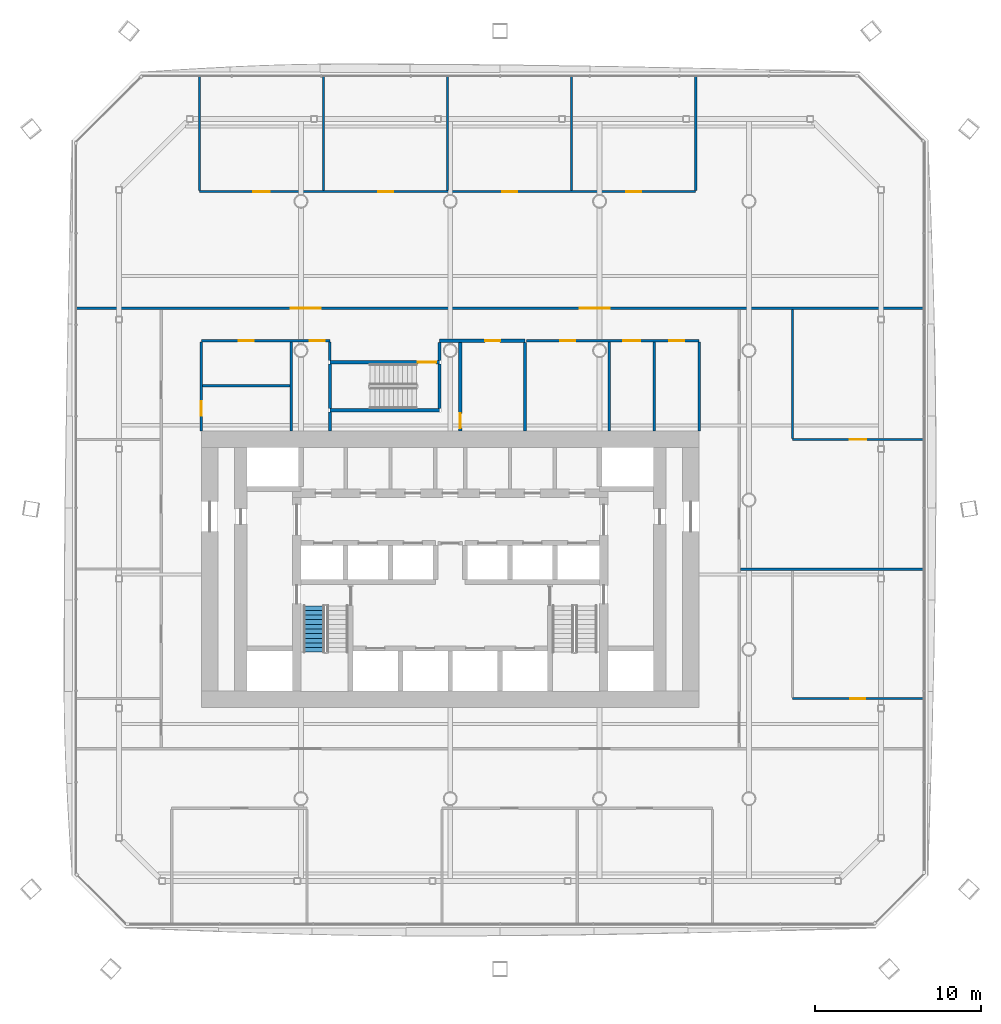
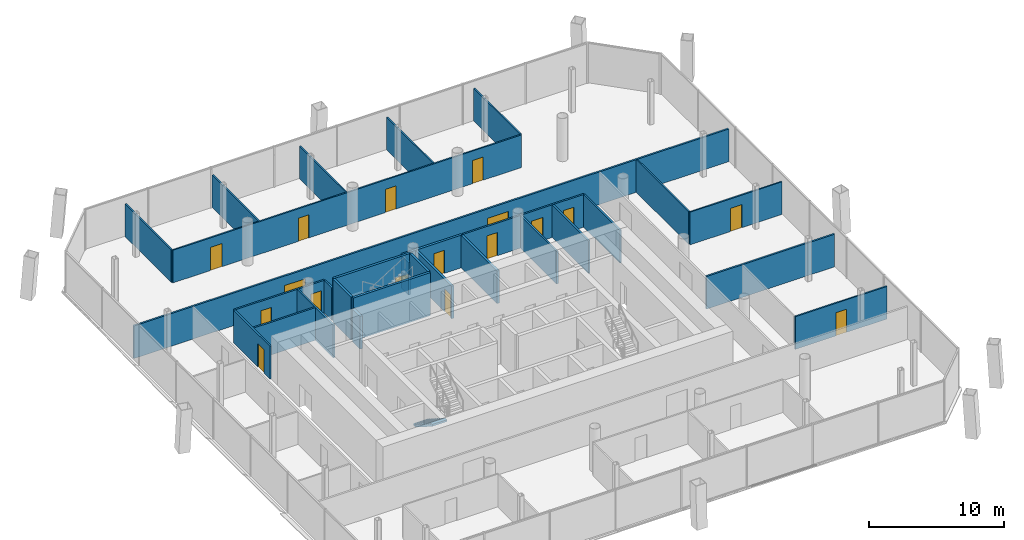
# One storey, part 14 of 20: 29 walls, 17 doors, 1 stair flight, 17 openings, 1 element without a shape of its own.
"""IFC4 building model written with IfcOpenShell, lengths in metres."""

import ifcopenshell
import ifcopenshell.guid

model = None  # the IFC model being written
_history = None  # IfcOwnerHistory: only IFC2X3 demands one
_inside = {}  # id of a spatial element -> (the spatial element, [elements in it])
_under = {}  # id of a project, library or spatial element -> (it, [spatial elements below it])
_declared = {}  # id of a project -> (the project, [libraries it declares])
_typed = {}  # id of a type object -> (the type object, [elements of that type])
_made_of = {}  # id of a material, layer set ... -> (it, [elements and type objects made of it])


def new_model(schema):
    """Start an empty IFC model of exactly this schema.

    Asked for "IFC4X3", IfcOpenShell would pick the latest addendum, in which some entities
    have other attributes; the version numbers below select the first issue.
    IFC2X3 requires an IfcOwnerHistory on every rooted entity: one is made here for all.
    """
    global model, _history
    if schema == "IFC4X3":
        model = ifcopenshell.file(schema_version=(4, 3, 0, 0))
    else:
        model = ifcopenshell.file(schema=schema)
    _inside.clear()
    _under.clear()
    _declared.clear()
    _typed.clear()
    _made_of.clear()
    _history = None
    if model.schema == "IFC2X3":
        org = make("IfcOrganization", Name="unknown")
        user = make(
            "IfcPersonAndOrganization",
            ThePerson=make("IfcPerson", FamilyName="unknown"),
            TheOrganization=org,
        )
        app = make(
            "IfcApplication",
            ApplicationDeveloper=org,
            Version="unknown",
            ApplicationFullName="unknown",
            ApplicationIdentifier="unknown",
        )
        _history = make(
            "IfcOwnerHistory",
            OwningUser=user,
            OwningApplication=app,
            ChangeAction="ADDED",
            CreationDate=0,
        )
    return model


def make(cls, **values):
    """One entity of the class cls with the attributes given. An attribute that is None is left unset."""
    return model.create_entity(
        cls, **{name: value for name, value in values.items() if value is not None}
    )


def rooted(cls, **values):
    """An entity with a GlobalId (a new one), such as an element, a storey or a relation."""
    return make(cls, GlobalId=ifcopenshell.guid.new(), OwnerHistory=_history, **values)


def si_unit(unit_type, name, prefix=None):
    """IfcSIUnit, for example si_unit("LENGTHUNIT", "METRE", prefix="MILLI")."""
    return make("IfcSIUnit", UnitType=unit_type, Prefix=prefix, Name=name)


def assignment(units):
    """IfcUnitAssignment: the units of a project."""
    return None if units is None else make("IfcUnitAssignment", Units=units)


def point(xyz):
    """IfcCartesianPoint."""
    return None if xyz is None else make("IfcCartesianPoint", Coordinates=xyz)


def direction(xyz):
    """IfcDirection."""
    return None if xyz is None else make("IfcDirection", DirectionRatios=xyz)


def frame(location, z_axis=None, x_axis=None):
    """IfcAxis2Placement3D, a coordinate frame: its origin and axes. An axis left out is left unset."""
    return make(
        "IfcAxis2Placement3D",
        Location=point(location),
        Axis=direction(z_axis),
        RefDirection=direction(x_axis),
    )


def frame_2d(location, x_axis=None):
    """IfcAxis2Placement2D, a coordinate frame in the plane: its origin and x axis."""
    return make(
        "IfcAxis2Placement2D", Location=point(location), RefDirection=direction(x_axis)
    )


def origin():
    """The frame at (0, 0, 0) with its axes left unset."""
    return frame((0.0, 0.0, 0.0))


def place(relative_to, where):
    """IfcLocalPlacement: puts the frame where relative to a parent placement (None: the world)."""
    return make(
        "IfcLocalPlacement", PlacementRelTo=relative_to, RelativePlacement=where
    )


def context(
    kind, dimensions, precision=None, world=None, true_north=None, identifier=None
):
    """IfcGeometricRepresentationContext, for example the 3D "Model" context."""
    return make(
        "IfcGeometricRepresentationContext",
        ContextIdentifier=identifier,
        ContextType=kind,
        CoordinateSpaceDimension=dimensions,
        Precision=precision,
        WorldCoordinateSystem=world,
        TrueNorth=true_north,
    )


def subcontext(parent, identifier, kind, view, scale=None):
    """IfcGeometricRepresentationSubContext, for example "Body" below "Model"."""
    return make(
        "IfcGeometricRepresentationSubContext",
        ContextIdentifier=identifier,
        ContextType=kind,
        ParentContext=parent,
        TargetScale=scale,
        TargetView=view,
    )


def project(units=None, contexts=None):
    """IfcProject with its units and contexts."""
    return rooted(
        "IfcProject",
        Name="project",
        RepresentationContexts=contexts,
        UnitsInContext=assignment(units),
    )


def spatial(cls, under=None, at=None, **own):
    """A site, building, storey or space (cls), placed at a placement, below another one or the project."""
    s = rooted(cls, ObjectPlacement=at, **own)
    if under is not None:
        _under.setdefault(under.id(), (under, []))[1].append(s)
    return s


def polyline(points):
    """IfcPolyline through the points."""
    return make("IfcPolyline", Points=[point(p) for p in points])


def profile(cls, at=None, kind="AREA", **sizes):
    """A parametric profile (cls). Its sizes go by their IFC names, for example OverallWidth=200.0."""
    return make(cls, ProfileType=kind, Position=at, **sizes)


def rectangle(**sizes):
    """IfcRectangleProfileDef."""
    return profile("IfcRectangleProfileDef", **sizes)


def outline(outer, holes=None, kind="AREA"):
    """IfcArbitraryClosedProfileDef: a profile drawn as a closed curve; with holes, ...WithVoids."""
    if holes is None:
        return make("IfcArbitraryClosedProfileDef", ProfileType=kind, OuterCurve=outer)
    return make(
        "IfcArbitraryProfileDefWithVoids",
        ProfileType=kind,
        OuterCurve=outer,
        InnerCurves=holes,
    )


def extrude(swept, where, along, depth):
    """IfcExtrudedAreaSolid: the profile swept, set in the frame where, extruded along a direction by depth."""
    return make(
        "IfcExtrudedAreaSolid",
        SweptArea=swept,
        Position=where,
        ExtrudedDirection=direction(along),
        Depth=depth,
    )


def shape(context_of_items, identifier, shape_type, items):
    """IfcShapeRepresentation: the items that make up one representation, for example the "Body"."""
    return make(
        "IfcShapeRepresentation",
        ContextOfItems=context_of_items,
        RepresentationIdentifier=identifier,
        RepresentationType=shape_type,
        Items=items,
    )


def material(Name=None, Category=None):
    """IfcMaterial."""
    return make("IfcMaterial", Name=Name, Category=Category)


def layer(
    of_material, thickness, ventilated=None, Name=None, Category=None, Priority=None
):
    """IfcMaterialLayer: one layer of a wall or slab, of a material (None: an air gap)."""
    return make(
        "IfcMaterialLayer",
        Material=of_material,
        LayerThickness=thickness,
        IsVentilated=ventilated,
        Name=Name,
        Category=Category,
        Priority=Priority,
    )


def layer_set(layers, Name=None):
    """IfcMaterialLayerSet."""
    return make("IfcMaterialLayerSet", MaterialLayers=layers, LayerSetName=Name)


def made_of(thing, what):
    """Note that an element or type object is made of a material, layer set ...; save() writes the relation."""
    if what is not None:
        _made_of.setdefault(what.id(), (what, []))[1].append(thing)
    return thing


def type_object(cls, material=None, **own):
    """A type object (cls), such as IfcWallType, which elements share."""
    return made_of(rooted(cls, **own), material)


def element(
    cls,
    number,
    at=None,
    inside=None,
    cuts=None,
    type_object=None,
    material=None,
    context=None,
    identifier="Body",
    shape_type=None,
    held_by="IfcProductDefinitionShape",
    body=None,
    shapes=None,
    **own,
):
    """One element of the class cls, such as IfcWall. Its Tag is "e" and its number.

    at: its placement. inside: the storey or other place that contains it. cuts: it is an
    opening in that element (IfcRelVoidsElement). A single representation is given by context,
    identifier, shape_type and body (its items); several are given by shapes. held_by: the class
    of the entity that holds the representations. save() writes the other relations.
    """
    e = rooted(cls, Tag="e%d" % number, ObjectPlacement=at, **own)
    if body is not None:
        shapes = [shape(context, identifier, shape_type, body)]
    if shapes is not None:
        e.Representation = make(held_by, Representations=shapes)
    if inside is not None:
        _inside.setdefault(inside.id(), (inside, []))[1].append(e)
    if cuts is not None:
        rooted(
            "IfcRelVoidsElement", RelatingBuildingElement=cuts, RelatedOpeningElement=e
        )
    if type_object is not None:
        _typed.setdefault(type_object.id(), (type_object, []))[1].append(e)
    return made_of(e, material)


def fill(opening, filler):
    """IfcRelFillsElement: the door or window that sits in an opening."""
    return rooted(
        "IfcRelFillsElement",
        RelatingOpeningElement=opening,
        RelatedBuildingElement=filler,
    )


def aggregate(whole, parts):
    """IfcRelAggregates: a whole, such as a stair, and the parts it consists of."""
    return rooted("IfcRelAggregates", RelatingObject=whole, RelatedObjects=parts)


def save(model, path):
    """Write the relations noted so far, then the file.

    IfcRelAggregates (storeys below a building ...), IfcRelContainedInSpatialStructure (elements
    in a storey), IfcRelDefinesByType, IfcRelAssociatesMaterial and IfcRelDeclares: one each for
    every whole, place, type object, material and project.
    """
    for whole, parts in _under.values():
        aggregate(whole, parts)
    for where, things in _inside.values():
        rooted(
            "IfcRelContainedInSpatialStructure",
            RelatedElements=things,
            RelatingStructure=where,
        )
    for kind, things in _typed.values():
        rooted("IfcRelDefinesByType", RelatedObjects=things, RelatingType=kind)
    for what, things in _made_of.values():
        rooted("IfcRelAssociatesMaterial", RelatedObjects=things, RelatingMaterial=what)
    for by, libraries in _declared.values():
        rooted("IfcRelDeclares", RelatingContext=by, RelatedDefinitions=libraries)
    model.write(path)


model = new_model("IFC4")

# Units and contexts
model_context = context("Model", 3, precision=1e-05, world=origin(), true_north=direction((0.0, 1.0)))
body_context = subcontext(model_context, "Body", "Model", "MODEL_VIEW")
ifc_project = project(units=[si_unit("LENGTHUNIT", "METRE"), si_unit("AREAUNIT", "SQUARE_METRE"), si_unit("VOLUMEUNIT", "CUBIC_METRE"), si_unit("PLANEANGLEUNIT", "RADIAN"), si_unit("MASSUNIT", "GRAM", prefix="KILO")], contexts=[model_context])

# Site, building, storey
site_placement = place(None, origin())
site = spatial("IfcSite", under=ifc_project, at=site_placement, CompositionType="ELEMENT")
building_placement = place(site_placement, origin())
building = spatial("IfcBuilding", under=site, at=building_placement, Name="Tskaro Facet Tower", CompositionType="ELEMENT")
storey_placement = place(building_placement, frame((0.0, 0.0, 69.89990234375)))
storey = spatial("IfcBuildingStorey", under=building, at=storey_placement, Name="L16", CompositionType="ELEMENT", Elevation=69.89990234375)

# Wall, opening, door
ifc_material_1 = material(Name="Gypsum board on steel studs", Category="steel")
ifc_layer_1 = layer(ifc_material_1, 0.125, Name="Gypsum board on steel studs")
ifc_layer_set_1 = layer_set([ifc_layer_1], Name="Gypsum board on steel studs")
wall_type_1 = type_object("IfcWallType", Name="PART", PredefinedType="PARTITIONING", material=ifc_layer_set_1)
wall_1_placement = place(storey_placement, frame((20.625, -11.972900390625, 0.0), z_axis=(0.0, 0.0, 1.0), x_axis=(1.0, 0.0, 0.0)))
wall_1 = element("IfcWall", 1, at=wall_1_placement, inside=storey, type_object=wall_type_1, Name="Partition W005", PredefinedType="PARTITIONING", context=body_context, shape_type="SweptSolid", body=[
    extrude(rectangle(XDim=7.884033203125, YDim=0.125, at=frame_2d((3.94189453125, 0.0))), origin(), (0.0, 0.0, 1.0), 2.960205078125),
])
opening_1_placement = place(wall_1_placement, frame((3.491943359375, 0.0, 0.0)))
opening_1 = element("IfcOpeningElement", 2, at=opening_1_placement, cuts=wall_1, Name="Opening T4-D08", PredefinedType="OPENING", context=body_context, shape_type="SweptSolid", body=[
    extrude(rectangle(XDim=0.89990234375, YDim=2.10009765625, at=frame_2d((0.449951171875, 1.050048828125))), frame((0.0, 0.072509765625, 0.0), z_axis=(0.0, -1.0, 0.0), x_axis=(1.0, 0.0, 0.0)), (0.0, 0.0, 1.0), 0.14501953125),
])
ifc_material_2 = material(Name="Timber", Category="wood")
door_type_1 = type_object("IfcDoorType", Name="D-ROOM", OperationType="NOTDEFINED", PredefinedType="DOOR", material=ifc_material_2)
door_1_placement = place(opening_1_placement, origin())
door_1 = element("IfcDoor", 3, at=door_1_placement, inside=storey, type_object=door_type_1, Name="Door T4-D08", OperationType="SINGLE_SWING_LEFT", OverallHeight=2.10009765625, OverallWidth=0.89990234375, PredefinedType="DOOR", context=body_context, shape_type="SweptSolid", body=[
    extrude(rectangle(XDim=0.89990234375, YDim=2.10009765625, at=frame_2d((0.449951171875, 1.050048828125))), frame((0.0, 0.02490234375, 0.0), z_axis=(0.0, -1.0, 0.0), x_axis=(1.0, 0.0, 0.0)), (0.0, 0.0, 1.0), 0.050048828125),
])
fill(opening_1, door_1)

wall_2_placement = place(storey_placement, frame((20.625, 3.64794921875, 0.0), z_axis=(0.0, 0.0, 1.0), x_axis=(1.0, 0.0, 0.0)))
wall_2 = element("IfcWall", 4, at=wall_2_placement, inside=storey, type_object=wall_type_1, Name="Partition W019", PredefinedType="PARTITIONING", context=body_context, shape_type="SweptSolid", body=[
    extrude(rectangle(XDim=7.884033203125, YDim=0.125, at=frame_2d((3.94189453125, 0.0))), origin(), (0.0, 0.0, 1.0), 2.960205078125),
])
opening_2_placement = place(wall_2_placement, frame((3.44189453125, 0.0, 0.0)))
opening_2 = element("IfcOpeningElement", 5, at=opening_2_placement, cuts=wall_2, Name="Opening T4-D29", PredefinedType="OPENING", context=body_context, shape_type="SweptSolid", body=[
    extrude(rectangle(XDim=1.0, YDim=2.10009765625, at=frame_2d((0.5, 1.050048828125))), frame((0.0, 0.072509765625, 0.0), z_axis=(0.0, -1.0, 0.0), x_axis=(1.0, 0.0, 0.0)), (0.0, 0.0, 1.0), 0.14501953125),
])
door_type_2 = type_object("IfcDoorType", Name="D-ROOM-WIDE", OperationType="NOTDEFINED", PredefinedType="DOOR", material=ifc_material_2)
door_2_placement = place(opening_2_placement, origin())
door_2 = element("IfcDoor", 6, at=door_2_placement, inside=storey, type_object=door_type_2, Name="Door T4-D29", OperationType="SINGLE_SWING_LEFT", OverallHeight=2.10009765625, OverallWidth=1.0, PredefinedType="DOOR", context=body_context, shape_type="SweptSolid", body=[
    extrude(rectangle(XDim=1.0, YDim=2.10009765625, at=frame_2d((0.5, 1.050048828125))), frame((0.0, 0.02490234375, 0.0), z_axis=(0.0, -1.0, 0.0), x_axis=(1.0, 0.0, 0.0)), (0.0, 0.0, 1.0), 0.050048828125),
])
fill(opening_2, door_2)

# Wall, openings, doors
wall_3_placement = place(storey_placement, frame((-15.110107421875, 18.580078125, 0.0), z_axis=(0.0, 0.0, 1.0), x_axis=(1.0, 0.0, 0.0)))
wall_3 = element("IfcWall", 7, at=wall_3_placement, inside=storey, type_object=wall_type_1, Name="Partition W027", PredefinedType="PARTITIONING", context=body_context, shape_type="SweptSolid", body=[
    extrude(rectangle(XDim=29.904052734375, YDim=0.125, at=frame_2d((14.9521484375, 0.0))), origin(), (0.0, 0.0, 1.0), 2.960205078125),
])
opening_3_placement = place(wall_3_placement, frame((10.763916015625, 0.0, 0.0)))
opening_3 = element("IfcOpeningElement", 8, at=opening_3_placement, cuts=wall_3, Name="Opening T4-D43", PredefinedType="OPENING", context=body_context, shape_type="SweptSolid", body=[
    extrude(rectangle(XDim=0.89990234375, YDim=2.10009765625, at=frame_2d((0.449951171875, 1.050048828125))), frame((0.0, 0.072509765625, 0.0), z_axis=(0.0, -1.0, 0.0), x_axis=(1.0, 0.0, 0.0)), (0.0, 0.0, 1.0), 0.14501953125),
])
opening_4_placement = place(wall_3_placement, frame((3.238037109375, 0.0, 0.0)))
opening_4 = element("IfcOpeningElement", 9, at=opening_4_placement, cuts=wall_3, Name="Opening T4-D42", PredefinedType="OPENING", context=body_context, shape_type="SweptSolid", body=[
    extrude(rectangle(XDim=1.0, YDim=2.10009765625, at=frame_2d((0.5, 1.050048828125))), frame((0.0, 0.072509765625, 0.0), z_axis=(0.0, -1.0, 0.0), x_axis=(1.0, 0.0, 0.0)), (0.0, 0.0, 1.0), 0.14501953125),
])
opening_5_placement = place(wall_3_placement, frame((25.716064453125, 0.0, 0.0)))
opening_5 = element("IfcOpeningElement", 10, at=opening_5_placement, cuts=wall_3, Name="Opening T4-D45", PredefinedType="OPENING", context=body_context, shape_type="SweptSolid", body=[
    extrude(rectangle(XDim=0.89990234375, YDim=2.10009765625, at=frame_2d((0.449951171875, 1.050048828125))), frame((0.0, 0.072509765625, 0.0), z_axis=(0.0, -1.0, 0.0), x_axis=(1.0, 0.0, 0.0)), (0.0, 0.0, 1.0), 0.14501953125),
])
opening_6_placement = place(wall_3_placement, frame((18.239990234375, 0.0, 0.0)))
opening_6 = element("IfcOpeningElement", 11, at=opening_6_placement, cuts=wall_3, Name="Opening T4-D44", PredefinedType="OPENING", context=body_context, shape_type="SweptSolid", body=[
    extrude(rectangle(XDim=0.89990234375, YDim=2.10009765625, at=frame_2d((0.449951171875, 1.050048828125))), frame((0.0, 0.072509765625, 0.0), z_axis=(0.0, -1.0, 0.0), x_axis=(1.0, 0.0, 0.0)), (0.0, 0.0, 1.0), 0.14501953125),
])
door_3_placement = place(opening_3_placement, origin())
door_3 = element("IfcDoor", 12, at=door_3_placement, inside=storey, type_object=door_type_1, Name="Door T4-D43", OperationType="SINGLE_SWING_LEFT", OverallHeight=2.10009765625, OverallWidth=0.89990234375, PredefinedType="DOOR", context=body_context, shape_type="SweptSolid", body=[
    extrude(rectangle(XDim=0.89990234375, YDim=2.10009765625, at=frame_2d((0.449951171875, 1.050048828125))), frame((0.0, 0.02490234375, 0.0), z_axis=(0.0, -1.0, 0.0), x_axis=(1.0, 0.0, 0.0)), (0.0, 0.0, 1.0), 0.050048828125),
])
fill(opening_3, door_3)
door_4_placement = place(opening_5_placement, origin())
door_4 = element("IfcDoor", 13, at=door_4_placement, inside=storey, type_object=door_type_1, Name="Door T4-D45", OperationType="SINGLE_SWING_LEFT", OverallHeight=2.10009765625, OverallWidth=0.89990234375, PredefinedType="DOOR", context=body_context, shape_type="SweptSolid", body=[
    extrude(rectangle(XDim=0.89990234375, YDim=2.10009765625, at=frame_2d((0.449951171875, 1.050048828125))), frame((0.0, 0.02490234375, 0.0), z_axis=(0.0, -1.0, 0.0), x_axis=(1.0, 0.0, 0.0)), (0.0, 0.0, 1.0), 0.050048828125),
])
fill(opening_5, door_4)
door_5_placement = place(opening_6_placement, origin())
door_5 = element("IfcDoor", 14, at=door_5_placement, inside=storey, type_object=door_type_1, Name="Door T4-D44", OperationType="SINGLE_SWING_LEFT", OverallHeight=2.10009765625, OverallWidth=0.89990234375, PredefinedType="DOOR", context=body_context, shape_type="SweptSolid", body=[
    extrude(rectangle(XDim=0.89990234375, YDim=2.10009765625, at=frame_2d((0.449951171875, 1.050048828125))), frame((0.0, 0.02490234375, 0.0), z_axis=(0.0, -1.0, 0.0), x_axis=(1.0, 0.0, 0.0)), (0.0, 0.0, 1.0), 0.050048828125),
])
fill(opening_6, door_5)
door_6_placement = place(opening_4_placement, origin())
door_6 = element("IfcDoor", 15, at=door_6_placement, inside=storey, type_object=door_type_2, Name="Door T4-D42", OperationType="SINGLE_SWING_LEFT", OverallHeight=2.10009765625, OverallWidth=1.0, PredefinedType="DOOR", context=body_context, shape_type="SweptSolid", body=[
    extrude(rectangle(XDim=1.0, YDim=2.10009765625, at=frame_2d((0.5, 1.050048828125))), frame((0.0, 0.02490234375, 0.0), z_axis=(0.0, -1.0, 0.0), x_axis=(1.0, 0.0, 0.0)), (0.0, 0.0, 1.0), 0.050048828125),
])
fill(opening_4, door_6)

# Walls
for number, where, z_axis, x_axis, name in (
    (16, (-15.110107421875, 18.642578125, 0.0), (0.0, 0.0, 1.0), (0.0, 1.0, 0.0), "Partition W030"),
    (17, (-7.634033203125, 18.642578125, 0.0), (0.0, 0.0, 1.0), (0.0, 1.0, 0.0), "Partition W035"),
    (18, (-0.157958984375, 18.642578125, 0.0), (0.0, 0.0, 1.0), (0.0, 1.0, 0.0), "Partition W050"),
    (19, (7.318115234375, 18.642578125, 0.0), (0.0, 0.0, 1.0), (0.0, 1.0, 0.0), "Partition W062"),
    (20, (14.7939453125, 18.642578125, 0.0), (0.0, 0.0, 1.0), (0.0, 1.0, 0.0), "Partition W067"),
):
    element("IfcWall", number, at=place(storey_placement, frame(where, z_axis=z_axis, x_axis=x_axis)), inside=storey, type_object=wall_type_1, Name=name, PredefinedType="PARTITIONING", context=body_context, shape_type="SweptSolid", body=[
        extrude(rectangle(XDim=6.866455078125, YDim=0.125, at=frame_2d((3.43310546875, 0.0))), origin(), (0.0, 0.0, 1.0), 2.960205078125),
    ])
wall_4_placement = place(storey_placement, frame((20.625, 3.71044921875, 0.0), z_axis=(0.0, 0.0, 1.0), x_axis=(0.0, 1.0, 0.0)))
element("IfcWall", 21, at=wall_4_placement, inside=storey, type_object=wall_type_1, Name="Partition W072", PredefinedType="PARTITIONING", context=body_context, shape_type="SweptSolid", body=[
    extrude(rectangle(XDim=7.76953125, YDim=0.125, at=frame_2d((3.884765625, 0.0))), origin(), (0.0, 0.0, 1.0), 2.960205078125),
])
ifc_layer_2 = layer(ifc_material_1, 0.14990234375, Name="Gypsum board on steel studs")
ifc_layer_set_2 = layer_set([ifc_layer_2], Name="Gypsum board on steel studs")
wall_type_2 = type_object("IfcWallType", Name="PART-CORR", PredefinedType="PARTITIONING", material=ifc_layer_set_2)
wall_5_placement = place(storey_placement, frame((17.5, -4.162109375, 0.0), z_axis=(0.0, 0.0, 1.0), x_axis=(1.0, 0.0, 0.0)))
element("IfcWall", 22, at=wall_5_placement, inside=storey, type_object=wall_type_2, Name="Corridor wall W012", PredefinedType="PARTITIONING", context=body_context, shape_type="SweptSolid", body=[
    extrude(rectangle(XDim=11.009033203125, YDim=0.14990234375, at=frame_2d((5.50439453125, 0.0))), origin(), (0.0, 0.0, 1.0), 2.960205078125),
])
wall_6_placement = place(storey_placement, frame((-14.925048828125, 6.8779296875, 0.0), z_axis=(0.0, 0.0, 1.0), x_axis=(1.0, 0.0, 0.0)))
element("IfcWall", 23, at=wall_6_placement, inside=storey, type_object=wall_type_2, Name="Corridor wall W021", PredefinedType="PARTITIONING", context=body_context, shape_type="SweptSolid", body=[
    extrude(rectangle(XDim=5.275146484375, YDim=0.14990234375, at=frame_2d((2.6376953125, 0.0))), origin(), (0.0, 0.0, 1.0), 2.960205078125),
])

# Wall, openings, doors
wall_7_placement = place(storey_placement, frame((-7.25, 9.60498046875, 0.0), z_axis=(0.0, 0.0, 1.0), x_axis=(-1.0, 0.0, 0.0)))
wall_7 = element("IfcWall", 24, at=wall_7_placement, inside=storey, type_object=wall_type_2, Name="Corridor wall W023", PredefinedType="PARTITIONING", context=body_context, shape_type="SweptSolid", body=[
    extrude(rectangle(XDim=7.75, YDim=0.14990234375, at=frame_2d((3.875, 0.0))), origin(), (0.0, 0.0, 1.0), 2.960205078125),
])
opening_7_placement = place(wall_7_placement, frame((0.3125, 0.0, 0.0)))
opening_7 = element("IfcOpeningElement", 25, at=opening_7_placement, cuts=wall_7, Name="Opening T4-D35", PredefinedType="OPENING", context=body_context, shape_type="SweptSolid", body=[
    extrude(rectangle(XDim=0.89990234375, YDim=2.10009765625, at=frame_2d((0.449951171875, 1.050048828125))), frame((0.0, 0.0849609375, 0.0), z_axis=(0.0, -1.0, 0.0), x_axis=(1.0, 0.0, 0.0)), (0.0, 0.0, 1.0), 0.169921875),
])
opening_8_placement = place(wall_7_placement, frame((4.58740234375, 0.0, 0.0)))
opening_8 = element("IfcOpeningElement", 26, at=opening_8_placement, cuts=wall_7, Name="Opening T4-D34", PredefinedType="OPENING", context=body_context, shape_type="SweptSolid", body=[
    extrude(rectangle(XDim=0.89990234375, YDim=2.10009765625, at=frame_2d((0.449951171875, 1.050048828125))), frame((0.0, 0.0849609375, 0.0), z_axis=(0.0, -1.0, 0.0), x_axis=(1.0, 0.0, 0.0)), (0.0, 0.0, 1.0), 0.169921875),
])
ifc_material_3 = material(Name="Steel", Category="steel")
door_type_3 = type_object("IfcDoorType", Name="D-RISER", OperationType="NOTDEFINED", PredefinedType="DOOR", material=ifc_material_3)
door_7_placement = place(opening_7_placement, origin())
door_7 = element("IfcDoor", 27, at=door_7_placement, inside=storey, type_object=door_type_3, Name="Door T4-D35", OperationType="SINGLE_SWING_RIGHT", OverallHeight=2.10009765625, OverallWidth=0.89990234375, PredefinedType="DOOR", context=body_context, shape_type="SweptSolid", body=[
    extrude(rectangle(XDim=0.89990234375, YDim=2.10009765625, at=frame_2d((0.449951171875, 1.050048828125))), frame((0.0, 0.02490234375, 0.0), z_axis=(0.0, -1.0, 0.0), x_axis=(1.0, 0.0, 0.0)), (0.0, 0.0, 1.0), 0.050048828125),
])
fill(opening_7, door_7)
door_8_placement = place(opening_8_placement, origin())
door_8 = element("IfcDoor", 28, at=door_8_placement, inside=storey, type_object=door_type_1, Name="Door T4-D34", OperationType="SINGLE_SWING_RIGHT", OverallHeight=2.10009765625, OverallWidth=0.89990234375, PredefinedType="DOOR", context=body_context, shape_type="SweptSolid", body=[
    extrude(rectangle(XDim=0.89990234375, YDim=2.10009765625, at=frame_2d((0.449951171875, 1.050048828125))), frame((0.0, 0.02490234375, 0.0), z_axis=(0.0, -1.0, 0.0), x_axis=(1.0, 0.0, 0.0)), (0.0, 0.0, 1.0), 0.050048828125),
])
fill(opening_8, door_8)

wall_8_placement = place(storey_placement, frame((15.0, 9.60498046875, 0.0), z_axis=(0.0, 0.0, 1.0), x_axis=(-1.0, 0.0, 0.0)))
wall_8 = element("IfcWall", 29, at=wall_8_placement, inside=storey, type_object=wall_type_2, Name="Corridor wall W025", PredefinedType="PARTITIONING", context=body_context, shape_type="SweptSolid", body=[
    extrude(rectangle(XDim=10.39990234375, YDim=0.14990234375, at=frame_2d((5.199951171875, 0.0))), origin(), (0.0, 0.0, 1.0), 2.960205078125),
])
opening_9_placement = place(wall_8_placement, frame((0.89990234375, 0.0, 0.0)))
opening_9 = element("IfcOpeningElement", 30, at=opening_9_placement, cuts=wall_8, Name="Opening T4-D39", PredefinedType="OPENING", context=body_context, shape_type="SweptSolid", body=[
    extrude(rectangle(XDim=0.89990234375, YDim=2.10009765625, at=frame_2d((0.449951171875, 1.050048828125))), frame((0.0, 0.0849609375, 0.0), z_axis=(0.0, -1.0, 0.0), x_axis=(1.0, 0.0, 0.0)), (0.0, 0.0, 1.0), 0.169921875),
])
opening_10_placement = place(wall_8_placement, frame((7.46240234375, 0.0, 0.0)))
opening_10 = element("IfcOpeningElement", 31, at=opening_10_placement, cuts=wall_8, Name="Opening T4-D37", PredefinedType="OPENING", context=body_context, shape_type="SweptSolid", body=[
    extrude(rectangle(XDim=0.89990234375, YDim=2.10009765625, at=frame_2d((0.449951171875, 1.050048828125))), frame((0.0, 0.0849609375, 0.0), z_axis=(0.0, -1.0, 0.0), x_axis=(1.0, 0.0, 0.0)), (0.0, 0.0, 1.0), 0.169921875),
])
opening_11_placement = place(wall_8_placement, frame((3.5625, 0.0, 0.0)))
opening_11 = element("IfcOpeningElement", 32, at=opening_11_placement, cuts=wall_8, Name="Opening T4-D38", PredefinedType="OPENING", context=body_context, shape_type="SweptSolid", body=[
    extrude(rectangle(XDim=1.0, YDim=2.10009765625, at=frame_2d((0.5, 1.050048828125))), frame((0.0, 0.0849609375, 0.0), z_axis=(0.0, -1.0, 0.0), x_axis=(1.0, 0.0, 0.0)), (0.0, 0.0, 1.0), 0.169921875),
])
door_9_placement = place(opening_9_placement, origin())
door_9 = element("IfcDoor", 33, at=door_9_placement, inside=storey, type_object=door_type_1, Name="Door T4-D39", OperationType="SINGLE_SWING_RIGHT", OverallHeight=2.10009765625, OverallWidth=0.89990234375, PredefinedType="DOOR", context=body_context, shape_type="SweptSolid", body=[
    extrude(rectangle(XDim=0.89990234375, YDim=2.10009765625, at=frame_2d((0.449951171875, 1.050048828125))), frame((0.0, 0.02490234375, 0.0), z_axis=(0.0, -1.0, 0.0), x_axis=(1.0, 0.0, 0.0)), (0.0, 0.0, 1.0), 0.050048828125),
])
fill(opening_9, door_9)
door_10_placement = place(opening_10_placement, origin())
door_10 = element("IfcDoor", 34, at=door_10_placement, inside=storey, type_object=door_type_1, Name="Door T4-D37", OperationType="SINGLE_SWING_RIGHT", OverallHeight=2.10009765625, OverallWidth=0.89990234375, PredefinedType="DOOR", context=body_context, shape_type="SweptSolid", body=[
    extrude(rectangle(XDim=0.89990234375, YDim=2.10009765625, at=frame_2d((0.449951171875, 1.050048828125))), frame((0.0, 0.02490234375, 0.0), z_axis=(0.0, -1.0, 0.0), x_axis=(1.0, 0.0, 0.0)), (0.0, 0.0, 1.0), 0.050048828125),
])
fill(opening_10, door_10)
door_11_placement = place(opening_11_placement, origin())
door_11 = element("IfcDoor", 35, at=door_11_placement, inside=storey, type_object=door_type_2, Name="Door T4-D38", OperationType="SINGLE_SWING_RIGHT", OverallHeight=2.10009765625, OverallWidth=1.0, PredefinedType="DOOR", context=body_context, shape_type="SweptSolid", body=[
    extrude(rectangle(XDim=1.0, YDim=2.10009765625, at=frame_2d((0.5, 1.050048828125))), frame((0.0, 0.02490234375, 0.0), z_axis=(0.0, -1.0, 0.0), x_axis=(1.0, 0.0, 0.0)), (0.0, 0.0, 1.0), 0.050048828125),
])
fill(opening_11, door_11)

wall_9_placement = place(storey_placement, frame((28.509033203125, 11.554931640625, 0.0), z_axis=(0.0, 0.0, 1.0), x_axis=(-1.0, 0.0, 0.0)))
wall_9 = element("IfcWall", 36, at=wall_9_placement, inside=storey, type_object=wall_type_2, Name="Corridor wall W026", PredefinedType="PARTITIONING", context=body_context, shape_type="SweptSolid", body=[
    extrude(rectangle(XDim=51.01806640625, YDim=0.14990234375, at=frame_2d((25.509033203125, 0.0))), origin(), (0.0, 0.0, 1.0), 2.960205078125),
])
opening_12_placement = place(wall_9_placement, frame((36.322021484375, 0.0, 0.0)))
opening_12 = element("IfcOpeningElement", 37, at=opening_12_placement, cuts=wall_9, Name="Opening T4-D40", PredefinedType="OPENING", context=body_context, shape_type="SweptSolid", body=[
    extrude(rectangle(XDim=1.800048828125, YDim=2.10009765625, at=frame_2d((0.89990234375, 1.050048828125))), frame((0.0, 0.0849609375, 0.0), z_axis=(0.0, -1.0, 0.0), x_axis=(1.0, 0.0, 0.0)), (0.0, 0.0, 1.0), 0.169921875),
])
opening_13_placement = place(wall_9_placement, frame((18.89599609375, 0.0, 0.0)))
opening_13 = element("IfcOpeningElement", 38, at=opening_13_placement, cuts=wall_9, Name="Opening T4-D41", PredefinedType="OPENING", context=body_context, shape_type="SweptSolid", body=[
    extrude(rectangle(XDim=1.800048828125, YDim=2.10009765625, at=frame_2d((0.89990234375, 1.050048828125))), frame((0.0, 0.0849609375, 0.0), z_axis=(0.0, -1.0, 0.0), x_axis=(1.0, 0.0, 0.0)), (0.0, 0.0, 1.0), 0.169921875),
])
ifc_material_4 = material(Name="Glass", Category="glass")
door_type_4 = type_object("IfcDoorType", Name="D-ENTRY-PAIR", OperationType="NOTDEFINED", PredefinedType="DOOR", material=ifc_material_4)
door_12_placement = place(opening_12_placement, origin())
door_12 = element("IfcDoor", 39, at=door_12_placement, inside=storey, type_object=door_type_4, Name="Door T4-D40", OperationType="DOUBLE_DOOR_SINGLE_SWING", OverallHeight=2.10009765625, OverallWidth=1.800048828125, PredefinedType="DOOR", context=body_context, shape_type="SweptSolid", body=[
    extrude(rectangle(XDim=1.800048828125, YDim=2.10009765625, at=frame_2d((0.89990234375, 1.050048828125))), frame((0.0, 0.02490234375, 0.0), z_axis=(0.0, -1.0, 0.0), x_axis=(1.0, 0.0, 0.0)), (0.0, 0.0, 1.0), 0.050048828125),
])
fill(opening_12, door_12)
door_13_placement = place(opening_13_placement, origin())
door_13 = element("IfcDoor", 40, at=door_13_placement, inside=storey, type_object=door_type_4, Name="Door T4-D41", OperationType="DOUBLE_DOOR_SINGLE_SWING", OverallHeight=2.10009765625, OverallWidth=1.800048828125, PredefinedType="DOOR", context=body_context, shape_type="SweptSolid", body=[
    extrude(rectangle(XDim=1.800048828125, YDim=2.10009765625, at=frame_2d((0.89990234375, 1.050048828125))), frame((0.0, 0.02490234375, 0.0), z_axis=(0.0, -1.0, 0.0), x_axis=(1.0, 0.0, 0.0)), (0.0, 0.0, 1.0), 0.050048828125),
])
fill(opening_13, door_13)

# Wall, opening, door
wall_10_placement = place(storey_placement, frame((-15.0, 9.530029296875, 0.0), z_axis=(0.0, 0.0, 1.0), x_axis=(0.0, -1.0, 0.0)))
wall_10 = element("IfcWall", 41, at=wall_10_placement, inside=storey, type_object=wall_type_2, Name="Corridor wall W031", PredefinedType="PARTITIONING", context=body_context, shape_type="SweptSolid", body=[
    extrude(rectangle(XDim=5.380126953125, YDim=0.14990234375, at=frame_2d((2.68994140625, 0.0))), origin(), (0.0, 0.0, 1.0), 2.960205078125),
])
opening_14_placement = place(wall_10_placement, frame((3.56591796875, 0.0, 0.0)))
opening_14 = element("IfcOpeningElement", 42, at=opening_14_placement, cuts=wall_10, Name="Opening T4-D31", PredefinedType="OPENING", context=body_context, shape_type="SweptSolid", body=[
    extrude(rectangle(XDim=0.89990234375, YDim=2.10009765625, at=frame_2d((0.449951171875, 1.050048828125))), frame((0.0, 0.0849609375, 0.0), z_axis=(0.0, -1.0, 0.0), x_axis=(1.0, 0.0, 0.0)), (0.0, 0.0, 1.0), 0.169921875),
])
door_14_placement = place(opening_14_placement, origin())
door_14 = element("IfcDoor", 43, at=door_14_placement, inside=storey, type_object=door_type_1, Name="Door T4-D31", OperationType="SINGLE_SWING_RIGHT", OverallHeight=2.10009765625, OverallWidth=0.89990234375, PredefinedType="DOOR", context=body_context, shape_type="SweptSolid", body=[
    extrude(rectangle(XDim=0.89990234375, YDim=2.10009765625, at=frame_2d((0.449951171875, 1.050048828125))), frame((0.0, 0.02490234375, 0.0), z_axis=(0.0, -1.0, 0.0), x_axis=(1.0, 0.0, 0.0)), (0.0, 0.0, 1.0), 0.050048828125),
])
fill(opening_14, door_14)

# Walls
wall_11_placement = place(storey_placement, frame((-9.574951171875, 4.14990234375, 0.0), z_axis=(0.0, 0.0, 1.0), x_axis=(0.0, 1.0, 0.0)))
element("IfcWall", 44, at=wall_11_placement, inside=storey, type_object=wall_type_2, Name="Corridor wall W032", PredefinedType="PARTITIONING", context=body_context, shape_type="SweptSolid", body=[
    extrude(rectangle(XDim=5.380126953125, YDim=0.14990234375, at=frame_2d((2.68994140625, 0.0))), origin(), (0.0, 0.0, 1.0), 2.960205078125),
])
wall_12_placement = place(storey_placement, frame((-7.25, 8.39990234375, 0.0), z_axis=(0.0, 0.0, 1.0), x_axis=(0.0, 1.0, 0.0)))
element("IfcWall", 45, at=wall_12_placement, inside=storey, type_object=wall_type_2, Name="Corridor wall W038", PredefinedType="PARTITIONING", context=body_context, shape_type="SweptSolid", body=[
    extrude(rectangle(XDim=1.130126953125, YDim=0.14990234375, at=frame_2d((0.56494140625, 0.0))), origin(), (0.0, 0.0, 1.0), 2.960205078125),
])
for number, where, z_axis, x_axis, name in (
    (46, (9.574951171875, 4.14990234375, 0.0), (0.0, 0.0, 1.0), (0.0, 1.0, 0.0), "Corridor wall W065"),
    (47, (12.300048828125, 4.14990234375, 0.0), (0.0, 0.0, 1.0), (0.0, 1.0, 0.0), "Corridor wall W066"),
    (48, (15.0, 4.14990234375, 0.0), (0.0, 0.0, 1.0), (0.0, 1.0, 0.0), "Corridor wall W068"),
):
    element("IfcWall", number, at=place(storey_placement, frame(where, z_axis=z_axis, x_axis=x_axis)), inside=storey, type_object=wall_type_2, Name=name, PredefinedType="PARTITIONING", context=body_context, shape_type="SweptSolid", body=[
        extrude(rectangle(XDim=5.380126953125, YDim=0.14990234375, at=frame_2d((2.68994140625, 0.0))), origin(), (0.0, 0.0, 1.0), 2.960205078125),
    ])
ifc_material_5 = material(Name="Concrete C60/75", Category="concrete")
ifc_layer_3 = layer(ifc_material_5, 0.199951171875, Name="Concrete C60/75")
ifc_layer_set_3 = layer_set([ifc_layer_3], Name="Concrete C60/75")
wall_type_3 = type_object("IfcWallType", Name="STAIR-WALL", PredefinedType="SHEAR", material=ifc_layer_set_3)
wall_13_placement = place(storey_placement, frame((-7.25, 5.39990234375, 0.0), z_axis=(0.0, 0.0, 1.0), x_axis=(1.0, 0.0, 0.0)))
element("IfcWall", 49, at=wall_13_placement, inside=storey, type_object=wall_type_3, Name="Stair wall W020", PredefinedType="SHEAR", context=body_context, shape_type="SweptSolid", body=[
    extrude(rectangle(XDim=6.60009765625, YDim=0.199951171875, at=frame_2d((3.300048828125, 0.0))), origin(), (0.0, 0.0, 1.0), 3.900146484375),
])

# Wall, opening, door
wall_14_placement = place(storey_placement, frame((-0.64990234375, 8.300048828125, 0.0), z_axis=(0.0, 0.0, 1.0), x_axis=(-1.0, 0.0, 0.0)))
wall_14 = element("IfcWall", 50, at=wall_14_placement, inside=storey, type_object=wall_type_3, Name="Stair wall W022", PredefinedType="SHEAR", context=body_context, shape_type="SweptSolid", body=[
    extrude(rectangle(XDim=6.60009765625, YDim=0.199951171875, at=frame_2d((3.300048828125, 0.0))), origin(), (0.0, 0.0, 1.0), 3.900146484375),
])
opening_15_placement = place(wall_14_placement, frame((0.199951171875, 0.0, 0.0)))
opening_15 = element("IfcOpeningElement", 51, at=opening_15_placement, cuts=wall_14, Name="Opening ST-3-D1", PredefinedType="OPENING", context=body_context, shape_type="SweptSolid", body=[
    extrude(rectangle(XDim=1.10009765625, YDim=2.10009765625, at=frame_2d((0.550048828125, 1.050048828125))), frame((0.0, 0.10986328125, 0.0), z_axis=(0.0, -1.0, 0.0), x_axis=(1.0, 0.0, 0.0)), (0.0, 0.0, 1.0), 0.219970703125),
])
door_type_5 = type_object("IfcDoorType", Name="D-STAIR", OperationType="NOTDEFINED", PredefinedType="DOOR", material=ifc_material_3)
door_15_placement = place(opening_15_placement, origin())
door_15 = element("IfcDoor", 52, at=door_15_placement, inside=storey, type_object=door_type_5, Name="Stair door 3", OperationType="SINGLE_SWING_RIGHT", OverallHeight=2.10009765625, OverallWidth=1.10009765625, PredefinedType="DOOR", context=body_context, shape_type="SweptSolid", body=[
    extrude(rectangle(XDim=1.10009765625, YDim=2.10009765625, at=frame_2d((0.550048828125, 1.050048828125))), frame((0.0, 0.02490234375, 0.0), z_axis=(0.0, -1.0, 0.0), x_axis=(1.0, 0.0, 0.0)), (0.0, 0.0, 1.0), 0.050048828125),
])
fill(opening_15, door_15)

# Walls
for number, where, z_axis, x_axis, name in (
    (53, (-7.25, 5.5, 0.0), (0.0, 0.0, 1.0), (0.0, 1.0, 0.0), "Stair wall W037"),
    (54, (-0.64990234375, 5.5, 0.0), (0.0, 0.0, 1.0), (0.0, 1.0, 0.0), "Stair wall W047"),
):
    element("IfcWall", number, at=place(storey_placement, frame(where, z_axis=z_axis, x_axis=x_axis)), inside=storey, type_object=wall_type_3, Name=name, PredefinedType="SHEAR", context=body_context, shape_type="SweptSolid", body=[
        extrude(rectangle(XDim=2.699951171875, YDim=0.199951171875, at=frame_2d((1.35009765625, 0.0))), origin(), (0.0, 0.0, 1.0), 3.900146484375),
    ])

# Wall, opening, door
ifc_material_6 = material(Name="Concrete C20/25", Category="concrete")
ifc_layer_4 = layer(ifc_material_6, 0.199951171875, Name="Concrete C20/25")
ifc_layer_set_4 = layer_set([ifc_layer_4], Name="Concrete C20/25")
wall_type_4 = type_object("IfcWallType", Name="WALL-RISER", PredefinedType="SOLIDWALL", material=ifc_layer_set_4)
wall_15_placement = place(storey_placement, frame((4.5, 9.60498046875, 0.0), z_axis=(0.0, 0.0, 1.0), x_axis=(-1.0, 0.0, 0.0)))
wall_15 = element("IfcWall", 55, at=wall_15_placement, inside=storey, type_object=wall_type_4, Name="Riser room wall W024", PredefinedType="SOLIDWALL", context=body_context, shape_type="SweptSolid", body=[
    extrude(rectangle(XDim=5.14990234375, YDim=0.199951171875, at=frame_2d((2.574951171875, 0.0))), origin(), (0.0, 0.0, 1.0), 2.960205078125),
])
opening_16_placement = place(wall_15_placement, frame((1.5, 0.0, 0.0)))
opening_16 = element("IfcOpeningElement", 56, at=opening_16_placement, cuts=wall_15, Name="Opening T4-D36", PredefinedType="OPENING", context=body_context, shape_type="SweptSolid", body=[
    extrude(rectangle(XDim=0.89990234375, YDim=2.10009765625, at=frame_2d((0.449951171875, 1.050048828125))), frame((0.0, 0.10986328125, 0.0), z_axis=(0.0, -1.0, 0.0), x_axis=(1.0, 0.0, 0.0)), (0.0, 0.0, 1.0), 0.219970703125),
])
door_16_placement = place(opening_16_placement, origin())
door_16 = element("IfcDoor", 57, at=door_16_placement, inside=storey, type_object=door_type_3, Name="Door T4-D36", OperationType="SINGLE_SWING_RIGHT", OverallHeight=2.10009765625, OverallWidth=0.89990234375, PredefinedType="DOOR", context=body_context, shape_type="SweptSolid", body=[
    extrude(rectangle(XDim=0.89990234375, YDim=2.10009765625, at=frame_2d((0.449951171875, 1.050048828125))), frame((0.0, 0.02490234375, 0.0), z_axis=(0.0, -1.0, 0.0), x_axis=(1.0, 0.0, 0.0)), (0.0, 0.0, 1.0), 0.050048828125),
])
fill(opening_16, door_16)

# Walls
wall_16_placement = place(storey_placement, frame((-7.25, 4.14990234375, 0.0), z_axis=(0.0, 0.0, 1.0), x_axis=(0.0, 1.0, 0.0)))
element("IfcWall", 58, at=wall_16_placement, inside=storey, type_object=wall_type_4, Name="Riser room wall W036", PredefinedType="SOLIDWALL", context=body_context, shape_type="SweptSolid", body=[
    extrude(rectangle(XDim=1.150146484375, YDim=0.199951171875, at=frame_2d((0.5751953125, 0.0))), origin(), (0.0, 0.0, 1.0), 2.960205078125),
])
wall_17_placement = place(storey_placement, frame((-0.64990234375, 8.39990234375, 0.0), z_axis=(0.0, 0.0, 1.0), x_axis=(0.0, 1.0, 0.0)))
element("IfcWall", 59, at=wall_17_placement, inside=storey, type_object=wall_type_4, Name="Riser room wall W048", PredefinedType="SOLIDWALL", context=body_context, shape_type="SweptSolid", body=[
    extrude(rectangle(XDim=1.10498046875, YDim=0.199951171875, at=frame_2d((0.552490234375, 0.0))), origin(), (0.0, 0.0, 1.0), 2.960205078125),
])

# Wall, opening, door
wall_18_placement = place(storey_placement, frame((0.60009765625, 4.14990234375, 0.0), z_axis=(0.0, 0.0, 1.0), x_axis=(0.0, 1.0, 0.0)))
wall_18 = element("IfcWall", 60, at=wall_18_placement, inside=storey, type_object=wall_type_4, Name="Riser room wall W052", PredefinedType="SOLIDWALL", context=body_context, shape_type="SweptSolid", body=[
    extrude(rectangle(XDim=5.35498046875, YDim=0.199951171875, at=frame_2d((2.677490234375, 0.0))), origin(), (0.0, 0.0, 1.0), 2.960205078125),
])
opening_17_placement = place(wall_18_placement, frame((0.175048828125, 0.0, 0.0)))
opening_17 = element("IfcOpeningElement", 61, at=opening_17_placement, cuts=wall_18, Name="Opening T4-D30", PredefinedType="OPENING", context=body_context, shape_type="SweptSolid", body=[
    extrude(rectangle(XDim=0.89990234375, YDim=2.10009765625, at=frame_2d((0.449951171875, 1.050048828125))), frame((0.0, 0.10986328125, 0.0), z_axis=(0.0, -1.0, 0.0), x_axis=(1.0, 0.0, 0.0)), (0.0, 0.0, 1.0), 0.219970703125),
])
door_17_placement = place(opening_17_placement, origin())
door_17 = element("IfcDoor", 62, at=door_17_placement, inside=storey, type_object=door_type_3, Name="Door T4-D30", OperationType="SINGLE_SWING_LEFT", OverallHeight=2.10009765625, OverallWidth=0.89990234375, PredefinedType="DOOR", context=body_context, shape_type="SweptSolid", body=[
    extrude(rectangle(XDim=0.89990234375, YDim=2.10009765625, at=frame_2d((0.449951171875, 1.050048828125))), frame((0.0, 0.02490234375, 0.0), z_axis=(0.0, -1.0, 0.0), x_axis=(1.0, 0.0, 0.0)), (0.0, 0.0, 1.0), 0.050048828125),
])
fill(opening_17, door_17)

# Wall
wall_19_placement = place(storey_placement, frame((4.5, 4.14990234375, 0.0), z_axis=(0.0, 0.0, 1.0), x_axis=(0.0, 1.0, 0.0)))
element("IfcWall", 63, at=wall_19_placement, inside=storey, type_object=wall_type_4, Name="Riser room wall W058", PredefinedType="SOLIDWALL", context=body_context, shape_type="SweptSolid", body=[
    extrude(rectangle(XDim=5.35498046875, YDim=0.199951171875, at=frame_2d((2.677490234375, 0.0))), origin(), (0.0, 0.0, 1.0), 2.960205078125),
])

# Stair, stair flight
ifc_material_7 = material(Name="Concrete C40/50", Category="concrete")
stair_type = type_object("IfcStairType", Name="ST-TWR", PredefinedType="HALF_TURN_STAIR", material=ifc_material_7)
stair_placement = place(storey_placement, origin())
stair = element("IfcStair", 64, at=stair_placement, inside=storey, type_object=stair_type, Name="L16 Exit stair 1", PredefinedType="HALF_TURN_STAIR")
stair_flight_type = type_object("IfcStairFlightType", Name="SFL-RC", PredefinedType="STRAIGHT", material=ifc_material_7)
stair_flight_placement = place(storey_placement, frame((-8.21240234375, -6.375, 0.0), z_axis=(0.0, 0.0, 1.0), x_axis=(0.0, -1.0, 0.0)))
stair_flight = element("IfcStairFlight", 65, at=stair_flight_placement, type_object=stair_flight_type, Name="ST-1 flight 1", NumberOfRisers=11, NumberOfTreads=10, PredefinedType="STRAIGHT", RiserHeight=0.177272727, TreadLength=0.28, context=body_context, shape_type="SweptSolid", body=[
    extrude(outline(polyline([(0.0, 0.0), (0.0, 0.17724609375), (0.280029296875, 0.17724609375), (0.280029296875, 0.3544921875), (0.56005859375, 0.3544921875), (0.56005859375, 0.53173828125), (0.840087890625, 0.53173828125), (0.840087890625, 0.708984375), (1.1201171875, 0.708984375), (1.1201171875, 0.886474609375), (1.39990234375, 0.886474609375), (1.39990234375, 1.063720703125), (1.679931640625, 1.063720703125), (1.679931640625, 1.240966796875), (1.9599609375, 1.240966796875), (1.9599609375, 1.418212890625), (2.239990234375, 1.418212890625), (2.239990234375, 1.595458984375), (2.52001953125, 1.595458984375), (2.52001953125, 1.772705078125), (2.800048828125, 1.772705078125), (2.800048828125, 1.949951171875), (2.800048828125, 1.59521484375), (0.2802734375, 0.0), (0.0, 0.0)])), frame((0.0, 0.637451171875, 0.0), z_axis=(0.0, -1.0, 0.0), x_axis=(1.0, 0.0, 0.0)), (0.0, 0.0, 1.0), 1.27490234375),
])
aggregate(stair, [stair_flight])

save(model, "model.ifc")
